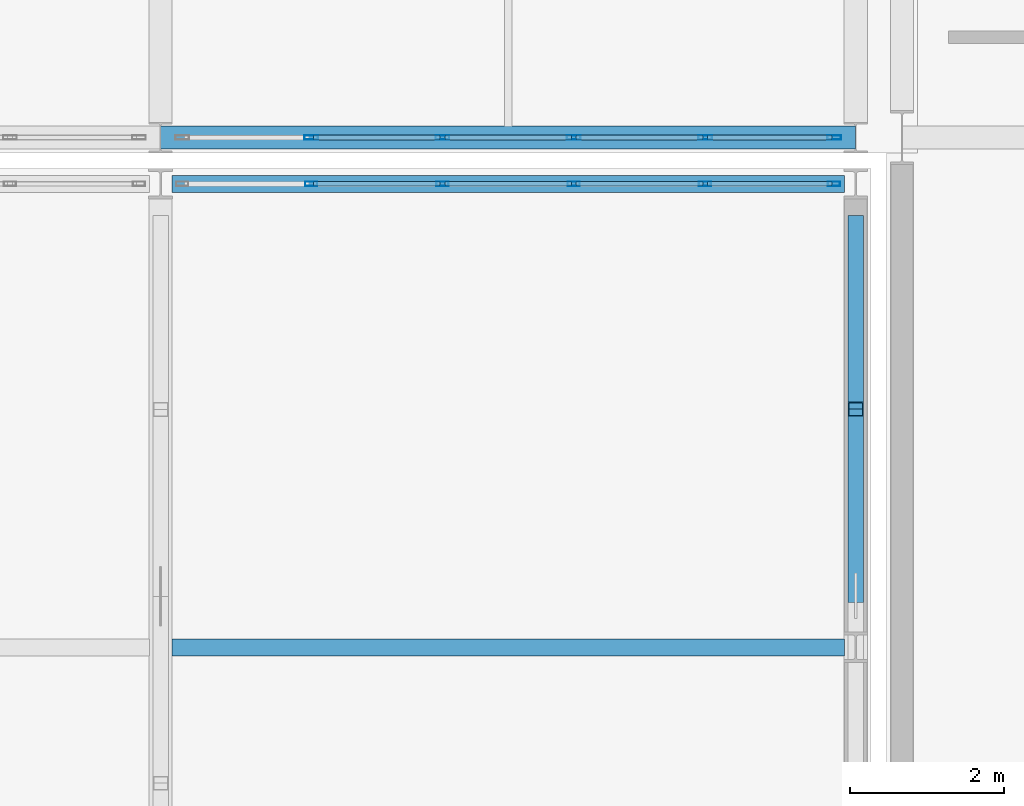
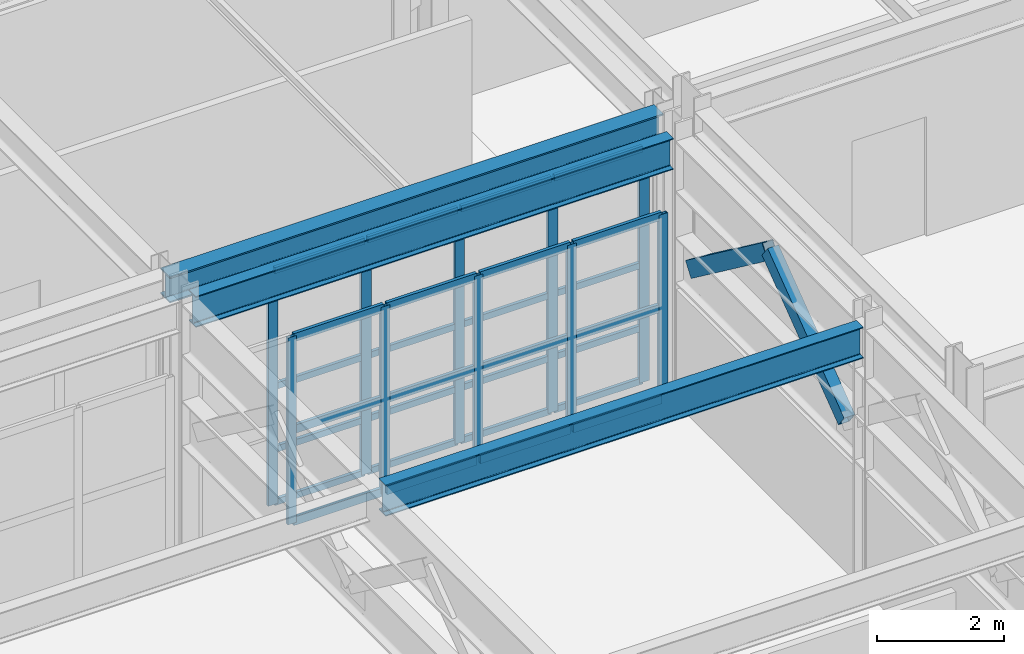
# One storey, part 46 of 210: 40 members, 3 beams, 2 elements without a shape of their own.
"""IFC4 building model written with IfcOpenShell, lengths in metres."""

from ifc_helpers import new_model, si_unit, direction, frame, origin, origin_2d, place, context, subcontext, project, spatial, hollow_rectangle, i_section, extrude, material, material_profile, profile_set, type_object, element, aggregate, save


model = new_model("IFC4")

# Units and contexts
model_context = context("Model", 3, precision=1e-05, world=origin(), true_north=direction((0.0, 1.0)))
body_context = subcontext(model_context, "Body", "Model", "MODEL_VIEW")
ifc_project = project(units=[si_unit("LENGTHUNIT", "METRE"), si_unit("AREAUNIT", "SQUARE_METRE"), si_unit("VOLUMEUNIT", "CUBIC_METRE"), si_unit("PLANEANGLEUNIT", "RADIAN"), si_unit("MASSUNIT", "GRAM", prefix="KILO")], contexts=[model_context])

# Site, building, storey
site_placement = place(None, origin())
site = spatial("IfcSite", under=ifc_project, at=site_placement, CompositionType="ELEMENT")
building_placement = place(site_placement, origin())
building = spatial("IfcBuilding", under=site, at=building_placement, Name="Kaldris Quays Convention Centre", CompositionType="ELEMENT")
storey_placement = place(building_placement, frame((0.0, 0.0, 6.0)))
storey = spatial("IfcBuildingStorey", under=building, at=storey_placement, Name="L01", CompositionType="ELEMENT", Elevation=6.0)

# Curtain wall, members
ifc_material_1 = material(Name="Anodized aluminium AW-6060 and triple glazing", Category="aluminium")
curtain_wall_type_1 = type_object("IfcCurtainWallType", Name="UNITISED CURTAIN WALL CW05", PredefinedType="NOTDEFINED", material=ifc_material_1)
curtain_wall_1_placement = place(storey_placement, origin())
curtain_wall_1 = element("IfcCurtainWall", 1, at=curtain_wall_1_placement, inside=storey, type_object=curtain_wall_type_1, Name="L01 Unitised Curtain Wall CW05 72", PredefinedType="NOTDEFINED")
ifc_material_2 = material(Name="Anodized aluminium AW-6060", Category="aluminium")
ifc_material_profile_1 = material_profile(ifc_material_2, hollow_rectangle(XDim=0.06005859375, YDim=0.159912109375, WallThickness=0.00390625, at=origin_2d()), Name="RHS 160x60x4")
ifc_profile_set_1 = profile_set([ifc_material_profile_1], Name="Anodized aluminium AW-6060")
member_type_1 = type_object("IfcMemberType", Name="CURTAIN MULLION CWM1", PredefinedType="MULLION", material=ifc_profile_set_1)
member_1_placement = place(storey_placement, frame((75.949951171875, 46.0, 0.0), z_axis=(0.0, 0.0, 1.0), x_axis=(0.0, 1.0, 0.0)))
member_1 = element("IfcMember", 2, at=member_1_placement, type_object=member_type_1, Name="CW05 mullion 2", PredefinedType="MULLION", context=body_context, shape_type="SweptSolid", body=[
    extrude(hollow_rectangle(XDim=0.06005859375, YDim=0.159912109375, WallThickness=0.00390625, at=origin_2d()), origin(), (0.0, 0.0, 1.0), 3.60009765625),
])
member_2_placement = place(storey_placement, frame((77.64990234375, 46.0, 0.0), z_axis=(0.0, 0.0, 1.0), x_axis=(0.0, 1.0, 0.0)))
member_2 = element("IfcMember", 3, at=member_2_placement, type_object=member_type_1, Name="CW05 mullion 3", PredefinedType="MULLION", context=body_context, shape_type="SweptSolid", body=[
    extrude(hollow_rectangle(XDim=0.06005859375, YDim=0.159912109375, WallThickness=0.00390625, at=origin_2d()), origin(), (0.0, 0.0, 1.0), 3.60009765625),
])
member_3_placement = place(storey_placement, frame((79.35009765625, 46.0, 0.0), z_axis=(0.0, 0.0, 1.0), x_axis=(0.0, 1.0, 0.0)))
member_3 = element("IfcMember", 4, at=member_3_placement, type_object=member_type_1, Name="CW05 mullion 4", PredefinedType="MULLION", context=body_context, shape_type="SweptSolid", body=[
    extrude(hollow_rectangle(XDim=0.06005859375, YDim=0.159912109375, WallThickness=0.00390625, at=origin_2d()), origin(), (0.0, 0.0, 1.0), 3.60009765625),
])
member_4_placement = place(storey_placement, frame((81.050048828125, 46.0, 0.0), z_axis=(0.0, 0.0, 1.0), x_axis=(0.0, 1.0, 0.0)))
member_4 = element("IfcMember", 5, at=member_4_placement, type_object=member_type_1, Name="CW05 mullion 5", PredefinedType="MULLION", context=body_context, shape_type="SweptSolid", body=[
    extrude(hollow_rectangle(XDim=0.06005859375, YDim=0.159912109375, WallThickness=0.00390625, at=origin_2d()), origin(), (0.0, 0.0, 1.0), 3.60009765625),
])
member_5_placement = place(storey_placement, frame((82.719970703125, 46.0, 0.0), z_axis=(0.0, 0.0, 1.0), x_axis=(0.0, 1.0, 0.0)))
member_5 = element("IfcMember", 6, at=member_5_placement, type_object=member_type_1, Name="CW05 mullion 6", PredefinedType="MULLION", context=body_context, shape_type="SweptSolid", body=[
    extrude(hollow_rectangle(XDim=0.06005859375, YDim=0.159912109375, WallThickness=0.00390625, at=origin_2d()), origin(), (0.0, 0.0, 1.0), 3.60009765625),
])

curtain_wall_type_2 = type_object("IfcCurtainWallType", Name="UNITISED CURTAIN WALL CW02", PredefinedType="NOTDEFINED", material=ifc_material_1)
curtain_wall_2_placement = place(storey_placement, origin())
curtain_wall_2 = element("IfcCurtainWall", 7, at=curtain_wall_2_placement, inside=storey, type_object=curtain_wall_type_2, Name="L01 Unitised Curtain Wall CW02 95", PredefinedType="NOTDEFINED")
ifc_material_profile_2 = material_profile(ifc_material_2, hollow_rectangle(XDim=0.06005859375, YDim=0.179931640625, WallThickness=0.0048828125, at=origin_2d()), Name="RHS 180x60x5")
ifc_profile_set_2 = profile_set([ifc_material_profile_2], Name="Anodized aluminium AW-6060")
member_type_2 = type_object("IfcMemberType", Name="CURTAIN MULLION CWM2", PredefinedType="MULLION", material=ifc_profile_set_2)
member_6_placement = place(storey_placement, frame((75.949951171875, 46.60009765625, 0.0), z_axis=(0.0, 0.0, 1.0), x_axis=(0.0, 1.0, 0.0)))
member_6 = element("IfcMember", 8, at=member_6_placement, type_object=member_type_2, Name="CW02 mullion 2", PredefinedType="MULLION", context=body_context, shape_type="SweptSolid", body=[
    extrude(hollow_rectangle(XDim=0.06005859375, YDim=0.179931640625, WallThickness=0.0048828125, at=origin_2d()), origin(), (0.0, 0.0, 1.0), 4.528076171875),
])
member_7_placement = place(storey_placement, frame((77.64990234375, 46.60009765625, 0.0), z_axis=(0.0, 0.0, 1.0), x_axis=(0.0, 1.0, 0.0)))
member_7 = element("IfcMember", 9, at=member_7_placement, type_object=member_type_2, Name="CW02 mullion 3", PredefinedType="MULLION", context=body_context, shape_type="SweptSolid", body=[
    extrude(hollow_rectangle(XDim=0.06005859375, YDim=0.179931640625, WallThickness=0.0048828125, at=origin_2d()), origin(), (0.0, 0.0, 1.0), 4.528076171875),
])
member_8_placement = place(storey_placement, frame((79.35009765625, 46.60009765625, 0.0), z_axis=(0.0, 0.0, 1.0), x_axis=(0.0, 1.0, 0.0)))
member_8 = element("IfcMember", 10, at=member_8_placement, type_object=member_type_2, Name="CW02 mullion 4", PredefinedType="MULLION", context=body_context, shape_type="SweptSolid", body=[
    extrude(hollow_rectangle(XDim=0.06005859375, YDim=0.179931640625, WallThickness=0.0048828125, at=origin_2d()), origin(), (0.0, 0.0, 1.0), 4.528076171875),
])
member_9_placement = place(storey_placement, frame((81.050048828125, 46.60009765625, 0.0), z_axis=(0.0, 0.0, 1.0), x_axis=(0.0, 1.0, 0.0)))
member_9 = element("IfcMember", 11, at=member_9_placement, type_object=member_type_2, Name="CW02 mullion 5", PredefinedType="MULLION", context=body_context, shape_type="SweptSolid", body=[
    extrude(hollow_rectangle(XDim=0.06005859375, YDim=0.179931640625, WallThickness=0.0048828125, at=origin_2d()), origin(), (0.0, 0.0, 1.0), 4.528076171875),
])
member_10_placement = place(storey_placement, frame((82.719970703125, 46.60009765625, 0.0), z_axis=(0.0, 0.0, 1.0), x_axis=(0.0, 1.0, 0.0)))
member_10 = element("IfcMember", 12, at=member_10_placement, type_object=member_type_2, Name="CW02 mullion 6", PredefinedType="MULLION", context=body_context, shape_type="SweptSolid", body=[
    extrude(hollow_rectangle(XDim=0.06005859375, YDim=0.179931640625, WallThickness=0.0048828125, at=origin_2d()), origin(), (0.0, 0.0, 1.0), 4.528076171875),
])
ifc_material_profile_3 = material_profile(ifc_material_2, hollow_rectangle(XDim=0.06005859375, YDim=0.1201171875, WallThickness=0.00390625, at=origin_2d()), Name="RHS 120x60x4")
ifc_profile_set_3 = profile_set([ifc_material_profile_3], Name="Anodized aluminium AW-6060")
member_type_3 = type_object("IfcMemberType", Name="CURTAIN TRANSOM CWT1", PredefinedType="USERDEFINED", material=ifc_profile_set_3)
member_11_placement = place(storey_placement, frame((75.97998046875, 46.60009765625, 0.030029296875), z_axis=(1.0, 0.0, 0.0), x_axis=(0.0, 1.0, 0.0)))
member_11 = element("IfcMember", 13, at=member_11_placement, type_object=member_type_3, Name="CW02 transom 2.1", ObjectType="TRANSOM", PredefinedType="USERDEFINED", context=body_context, shape_type="SweptSolid", body=[
    extrude(hollow_rectangle(XDim=0.06005859375, YDim=0.1201171875, WallThickness=0.00390625, at=origin_2d()), origin(), (0.0, 0.0, 1.0), 1.64013671875),
])
member_12_placement = place(storey_placement, frame((75.97998046875, 46.60009765625, 1.050048828125), z_axis=(1.0, 0.0, 0.0), x_axis=(0.0, 1.0, 0.0)))
member_12 = element("IfcMember", 14, at=member_12_placement, type_object=member_type_3, Name="CW02 transom 2.2", ObjectType="TRANSOM", PredefinedType="USERDEFINED", context=body_context, shape_type="SweptSolid", body=[
    extrude(hollow_rectangle(XDim=0.06005859375, YDim=0.1201171875, WallThickness=0.00390625, at=origin_2d()), origin(), (0.0, 0.0, 1.0), 1.64013671875),
])
member_13_placement = place(storey_placement, frame((75.97998046875, 46.60009765625, 2.263916015625), z_axis=(1.0, 0.0, 0.0), x_axis=(0.0, 1.0, 0.0)))
member_13 = element("IfcMember", 15, at=member_13_placement, type_object=member_type_3, Name="CW02 transom 2.3", ObjectType="TRANSOM", PredefinedType="USERDEFINED", context=body_context, shape_type="SweptSolid", body=[
    extrude(hollow_rectangle(XDim=0.06005859375, YDim=0.1201171875, WallThickness=0.00390625, at=origin_2d()), origin(), (0.0, 0.0, 1.0), 1.64013671875),
])
member_14_placement = place(storey_placement, frame((75.97998046875, 46.60009765625, 4.498046875), z_axis=(1.0, 0.0, 0.0), x_axis=(0.0, 1.0, 0.0)))
member_14 = element("IfcMember", 16, at=member_14_placement, type_object=member_type_3, Name="CW02 transom 2.4", ObjectType="TRANSOM", PredefinedType="USERDEFINED", context=body_context, shape_type="SweptSolid", body=[
    extrude(hollow_rectangle(XDim=0.06005859375, YDim=0.1201171875, WallThickness=0.00390625, at=origin_2d()), origin(), (0.0, 0.0, 1.0), 1.64013671875),
])
member_15_placement = place(storey_placement, frame((77.679931640625, 46.60009765625, 0.030029296875), z_axis=(1.0, 0.0, 0.0), x_axis=(0.0, 1.0, 0.0)))
member_15 = element("IfcMember", 17, at=member_15_placement, type_object=member_type_3, Name="CW02 transom 3.1", ObjectType="TRANSOM", PredefinedType="USERDEFINED", context=body_context, shape_type="SweptSolid", body=[
    extrude(hollow_rectangle(XDim=0.06005859375, YDim=0.1201171875, WallThickness=0.00390625, at=origin_2d()), origin(), (0.0, 0.0, 1.0), 1.64013671875),
])
member_16_placement = place(storey_placement, frame((77.679931640625, 46.60009765625, 1.050048828125), z_axis=(1.0, 0.0, 0.0), x_axis=(0.0, 1.0, 0.0)))
member_16 = element("IfcMember", 18, at=member_16_placement, type_object=member_type_3, Name="CW02 transom 3.2", ObjectType="TRANSOM", PredefinedType="USERDEFINED", context=body_context, shape_type="SweptSolid", body=[
    extrude(hollow_rectangle(XDim=0.06005859375, YDim=0.1201171875, WallThickness=0.00390625, at=origin_2d()), origin(), (0.0, 0.0, 1.0), 1.64013671875),
])
member_17_placement = place(storey_placement, frame((77.679931640625, 46.60009765625, 2.263916015625), z_axis=(1.0, 0.0, 0.0), x_axis=(0.0, 1.0, 0.0)))
member_17 = element("IfcMember", 19, at=member_17_placement, type_object=member_type_3, Name="CW02 transom 3.3", ObjectType="TRANSOM", PredefinedType="USERDEFINED", context=body_context, shape_type="SweptSolid", body=[
    extrude(hollow_rectangle(XDim=0.06005859375, YDim=0.1201171875, WallThickness=0.00390625, at=origin_2d()), origin(), (0.0, 0.0, 1.0), 1.64013671875),
])
member_18_placement = place(storey_placement, frame((77.679931640625, 46.60009765625, 4.498046875), z_axis=(1.0, 0.0, 0.0), x_axis=(0.0, 1.0, 0.0)))
member_18 = element("IfcMember", 20, at=member_18_placement, type_object=member_type_3, Name="CW02 transom 3.4", ObjectType="TRANSOM", PredefinedType="USERDEFINED", context=body_context, shape_type="SweptSolid", body=[
    extrude(hollow_rectangle(XDim=0.06005859375, YDim=0.1201171875, WallThickness=0.00390625, at=origin_2d()), origin(), (0.0, 0.0, 1.0), 1.64013671875),
])
member_19_placement = place(storey_placement, frame((79.3798828125, 46.60009765625, 0.030029296875), z_axis=(1.0, 0.0, 0.0), x_axis=(0.0, 1.0, 0.0)))
member_19 = element("IfcMember", 21, at=member_19_placement, type_object=member_type_3, Name="CW02 transom 4.1", ObjectType="TRANSOM", PredefinedType="USERDEFINED", context=body_context, shape_type="SweptSolid", body=[
    extrude(hollow_rectangle(XDim=0.06005859375, YDim=0.1201171875, WallThickness=0.00390625, at=origin_2d()), origin(), (0.0, 0.0, 1.0), 1.64013671875),
])
member_20_placement = place(storey_placement, frame((79.3798828125, 46.60009765625, 1.050048828125), z_axis=(1.0, 0.0, 0.0), x_axis=(0.0, 1.0, 0.0)))
member_20 = element("IfcMember", 22, at=member_20_placement, type_object=member_type_3, Name="CW02 transom 4.2", ObjectType="TRANSOM", PredefinedType="USERDEFINED", context=body_context, shape_type="SweptSolid", body=[
    extrude(hollow_rectangle(XDim=0.06005859375, YDim=0.1201171875, WallThickness=0.00390625, at=origin_2d()), origin(), (0.0, 0.0, 1.0), 1.64013671875),
])
member_21_placement = place(storey_placement, frame((79.3798828125, 46.60009765625, 2.263916015625), z_axis=(1.0, 0.0, 0.0), x_axis=(0.0, 1.0, 0.0)))
member_21 = element("IfcMember", 23, at=member_21_placement, type_object=member_type_3, Name="CW02 transom 4.3", ObjectType="TRANSOM", PredefinedType="USERDEFINED", context=body_context, shape_type="SweptSolid", body=[
    extrude(hollow_rectangle(XDim=0.06005859375, YDim=0.1201171875, WallThickness=0.00390625, at=origin_2d()), origin(), (0.0, 0.0, 1.0), 1.64013671875),
])
member_22_placement = place(storey_placement, frame((79.3798828125, 46.60009765625, 4.498046875), z_axis=(1.0, 0.0, 0.0), x_axis=(0.0, 1.0, 0.0)))
member_22 = element("IfcMember", 24, at=member_22_placement, type_object=member_type_3, Name="CW02 transom 4.4", ObjectType="TRANSOM", PredefinedType="USERDEFINED", context=body_context, shape_type="SweptSolid", body=[
    extrude(hollow_rectangle(XDim=0.06005859375, YDim=0.1201171875, WallThickness=0.00390625, at=origin_2d()), origin(), (0.0, 0.0, 1.0), 1.64013671875),
])
member_23_placement = place(storey_placement, frame((81.080078125, 46.60009765625, 0.030029296875), z_axis=(1.0, 0.0, 0.0), x_axis=(0.0, 1.0, 0.0)))
member_23 = element("IfcMember", 25, at=member_23_placement, type_object=member_type_3, Name="CW02 transom 5.1", ObjectType="TRANSOM", PredefinedType="USERDEFINED", context=body_context, shape_type="SweptSolid", body=[
    extrude(hollow_rectangle(XDim=0.06005859375, YDim=0.1201171875, WallThickness=0.00390625, at=origin_2d()), origin(), (0.0, 0.0, 1.0), 1.60986328125),
])
member_24_placement = place(storey_placement, frame((81.080078125, 46.60009765625, 1.050048828125), z_axis=(1.0, 0.0, 0.0), x_axis=(0.0, 1.0, 0.0)))
member_24 = element("IfcMember", 26, at=member_24_placement, type_object=member_type_3, Name="CW02 transom 5.2", ObjectType="TRANSOM", PredefinedType="USERDEFINED", context=body_context, shape_type="SweptSolid", body=[
    extrude(hollow_rectangle(XDim=0.06005859375, YDim=0.1201171875, WallThickness=0.00390625, at=origin_2d()), origin(), (0.0, 0.0, 1.0), 1.60986328125),
])
member_25_placement = place(storey_placement, frame((81.080078125, 46.60009765625, 2.263916015625), z_axis=(1.0, 0.0, 0.0), x_axis=(0.0, 1.0, 0.0)))
member_25 = element("IfcMember", 27, at=member_25_placement, type_object=member_type_3, Name="CW02 transom 5.3", ObjectType="TRANSOM", PredefinedType="USERDEFINED", context=body_context, shape_type="SweptSolid", body=[
    extrude(hollow_rectangle(XDim=0.06005859375, YDim=0.1201171875, WallThickness=0.00390625, at=origin_2d()), origin(), (0.0, 0.0, 1.0), 1.60986328125),
])
member_26_placement = place(storey_placement, frame((81.080078125, 46.60009765625, 4.498046875), z_axis=(1.0, 0.0, 0.0), x_axis=(0.0, 1.0, 0.0)))
member_26 = element("IfcMember", 28, at=member_26_placement, type_object=member_type_3, Name="CW02 transom 5.4", ObjectType="TRANSOM", PredefinedType="USERDEFINED", context=body_context, shape_type="SweptSolid", body=[
    extrude(hollow_rectangle(XDim=0.06005859375, YDim=0.1201171875, WallThickness=0.00390625, at=origin_2d()), origin(), (0.0, 0.0, 1.0), 1.60986328125),
])
aggregate(curtain_wall_2, [member_6, member_7, member_8, member_9, member_10, member_11, member_12, member_13, member_14, member_15, member_16, member_17, member_18, member_19, member_20, member_21, member_22, member_23, member_24, member_25, member_26])

# Member
ifc_material_profile_4 = material_profile(ifc_material_2, hollow_rectangle(XDim=0.06005859375, YDim=0.159912109375, WallThickness=0.00390625, at=origin_2d()), Name="RHS 160x60x4")
ifc_profile_set_4 = profile_set([ifc_material_profile_4], Name="Anodized aluminium AW-6060")
member_type_4 = type_object("IfcMemberType", Name="CURTAIN TRANSOM CWT2", PredefinedType="USERDEFINED", material=ifc_profile_set_4)
member_27_placement = place(storey_placement, frame((75.97998046875, 46.0, 0.030029296875), z_axis=(1.0, 0.0, 0.0), x_axis=(0.0, 1.0, 0.0)))
member_27 = element("IfcMember", 29, at=member_27_placement, type_object=member_type_4, Name="CW05 transom 2.1", ObjectType="TRANSOM", PredefinedType="USERDEFINED", context=body_context, shape_type="SweptSolid", body=[
    extrude(hollow_rectangle(XDim=0.06005859375, YDim=0.159912109375, WallThickness=0.00390625, at=origin_2d()), origin(), (0.0, 0.0, 1.0), 1.64013671875),
])

member_28_placement = place(storey_placement, frame((75.97998046875, 46.0, 1.800048828125), z_axis=(1.0, 0.0, 0.0), x_axis=(0.0, 1.0, 0.0)))
member_28 = element("IfcMember", 30, at=member_28_placement, type_object=member_type_4, Name="CW05 transom 2.2", ObjectType="TRANSOM", PredefinedType="USERDEFINED", context=body_context, shape_type="SweptSolid", body=[
    extrude(hollow_rectangle(XDim=0.06005859375, YDim=0.159912109375, WallThickness=0.00390625, at=origin_2d()), origin(), (0.0, 0.0, 1.0), 1.64013671875),
])

member_29_placement = place(storey_placement, frame((75.97998046875, 46.0, 3.570068359375), z_axis=(1.0, 0.0, 0.0), x_axis=(0.0, 1.0, 0.0)))
member_29 = element("IfcMember", 31, at=member_29_placement, type_object=member_type_4, Name="CW05 transom 2.3", ObjectType="TRANSOM", PredefinedType="USERDEFINED", context=body_context, shape_type="SweptSolid", body=[
    extrude(hollow_rectangle(XDim=0.06005859375, YDim=0.159912109375, WallThickness=0.00390625, at=origin_2d()), origin(), (0.0, 0.0, 1.0), 1.64013671875),
])

member_30_placement = place(storey_placement, frame((77.679931640625, 46.0, 0.030029296875), z_axis=(1.0, 0.0, 0.0), x_axis=(0.0, 1.0, 0.0)))
member_30 = element("IfcMember", 32, at=member_30_placement, type_object=member_type_4, Name="CW05 transom 3.1", ObjectType="TRANSOM", PredefinedType="USERDEFINED", context=body_context, shape_type="SweptSolid", body=[
    extrude(hollow_rectangle(XDim=0.06005859375, YDim=0.159912109375, WallThickness=0.00390625, at=origin_2d()), origin(), (0.0, 0.0, 1.0), 1.64013671875),
])

member_31_placement = place(storey_placement, frame((77.679931640625, 46.0, 1.800048828125), z_axis=(1.0, 0.0, 0.0), x_axis=(0.0, 1.0, 0.0)))
member_31 = element("IfcMember", 33, at=member_31_placement, type_object=member_type_4, Name="CW05 transom 3.2", ObjectType="TRANSOM", PredefinedType="USERDEFINED", context=body_context, shape_type="SweptSolid", body=[
    extrude(hollow_rectangle(XDim=0.06005859375, YDim=0.159912109375, WallThickness=0.00390625, at=origin_2d()), origin(), (0.0, 0.0, 1.0), 1.64013671875),
])

member_32_placement = place(storey_placement, frame((77.679931640625, 46.0, 3.570068359375), z_axis=(1.0, 0.0, 0.0), x_axis=(0.0, 1.0, 0.0)))
member_32 = element("IfcMember", 34, at=member_32_placement, type_object=member_type_4, Name="CW05 transom 3.3", ObjectType="TRANSOM", PredefinedType="USERDEFINED", context=body_context, shape_type="SweptSolid", body=[
    extrude(hollow_rectangle(XDim=0.06005859375, YDim=0.159912109375, WallThickness=0.00390625, at=origin_2d()), origin(), (0.0, 0.0, 1.0), 1.64013671875),
])

member_33_placement = place(storey_placement, frame((79.3798828125, 46.0, 0.030029296875), z_axis=(1.0, 0.0, 0.0), x_axis=(0.0, 1.0, 0.0)))
member_33 = element("IfcMember", 35, at=member_33_placement, type_object=member_type_4, Name="CW05 transom 4.1", ObjectType="TRANSOM", PredefinedType="USERDEFINED", context=body_context, shape_type="SweptSolid", body=[
    extrude(hollow_rectangle(XDim=0.06005859375, YDim=0.159912109375, WallThickness=0.00390625, at=origin_2d()), origin(), (0.0, 0.0, 1.0), 1.64013671875),
])

member_34_placement = place(storey_placement, frame((79.3798828125, 46.0, 1.800048828125), z_axis=(1.0, 0.0, 0.0), x_axis=(0.0, 1.0, 0.0)))
member_34 = element("IfcMember", 36, at=member_34_placement, type_object=member_type_4, Name="CW05 transom 4.2", ObjectType="TRANSOM", PredefinedType="USERDEFINED", context=body_context, shape_type="SweptSolid", body=[
    extrude(hollow_rectangle(XDim=0.06005859375, YDim=0.159912109375, WallThickness=0.00390625, at=origin_2d()), origin(), (0.0, 0.0, 1.0), 1.64013671875),
])

member_35_placement = place(storey_placement, frame((79.3798828125, 46.0, 3.570068359375), z_axis=(1.0, 0.0, 0.0), x_axis=(0.0, 1.0, 0.0)))
member_35 = element("IfcMember", 37, at=member_35_placement, type_object=member_type_4, Name="CW05 transom 4.3", ObjectType="TRANSOM", PredefinedType="USERDEFINED", context=body_context, shape_type="SweptSolid", body=[
    extrude(hollow_rectangle(XDim=0.06005859375, YDim=0.159912109375, WallThickness=0.00390625, at=origin_2d()), origin(), (0.0, 0.0, 1.0), 1.64013671875),
])

member_36_placement = place(storey_placement, frame((81.080078125, 46.0, 0.030029296875), z_axis=(1.0, 0.0, 0.0), x_axis=(0.0, 1.0, 0.0)))
member_36 = element("IfcMember", 38, at=member_36_placement, type_object=member_type_4, Name="CW05 transom 5.1", ObjectType="TRANSOM", PredefinedType="USERDEFINED", context=body_context, shape_type="SweptSolid", body=[
    extrude(hollow_rectangle(XDim=0.06005859375, YDim=0.159912109375, WallThickness=0.00390625, at=origin_2d()), origin(), (0.0, 0.0, 1.0), 1.60986328125),
])

member_37_placement = place(storey_placement, frame((81.080078125, 46.0, 1.800048828125), z_axis=(1.0, 0.0, 0.0), x_axis=(0.0, 1.0, 0.0)))
member_37 = element("IfcMember", 39, at=member_37_placement, type_object=member_type_4, Name="CW05 transom 5.2", ObjectType="TRANSOM", PredefinedType="USERDEFINED", context=body_context, shape_type="SweptSolid", body=[
    extrude(hollow_rectangle(XDim=0.06005859375, YDim=0.159912109375, WallThickness=0.00390625, at=origin_2d()), origin(), (0.0, 0.0, 1.0), 1.60986328125),
])

member_38_placement = place(storey_placement, frame((81.080078125, 46.0, 3.570068359375), z_axis=(1.0, 0.0, 0.0), x_axis=(0.0, 1.0, 0.0)))
member_38 = element("IfcMember", 40, at=member_38_placement, type_object=member_type_4, Name="CW05 transom 5.3", ObjectType="TRANSOM", PredefinedType="USERDEFINED", context=body_context, shape_type="SweptSolid", body=[
    extrude(hollow_rectangle(XDim=0.06005859375, YDim=0.159912109375, WallThickness=0.00390625, at=origin_2d()), origin(), (0.0, 0.0, 1.0), 1.60986328125),
])

aggregate(curtain_wall_1, [member_1, member_2, member_3, member_4, member_5, member_27, member_28, member_29, member_30, member_31, member_32, member_33, member_34, member_35, member_36, member_37, member_38])

# Beams
ifc_material_3 = material(Name="Steel S355J2", Category="steel")
ifc_material_profile_5 = material_profile(ifc_material_3, i_section(OverallWidth=0.300048828125, OverallDepth=0.5, WebThickness=0.014404296875, FlangeThickness=0.028076171875, FilletRadius=0.027099609375, at=origin_2d()), Name="HEB 500")
ifc_profile_set_5 = profile_set([ifc_material_profile_5], Name="Steel S355J2")
beam_type_1 = type_object("IfcBeamType", Name="STRUCTURAL BEAM BM06", PredefinedType="BEAM", material=ifc_profile_set_5)
beam_placement = place(storey_placement, frame((73.99951171875, 46.60009765625, 4.89306640625), z_axis=(1.0, 0.0, 0.0), x_axis=(0.0, 1.0, 0.0)))
element("IfcBeam", 41, at=beam_placement, inside=storey, type_object=beam_type_1, Name="L01 Girder BM06 6", PredefinedType="BEAM", context=body_context, shape_type="SweptSolid", body=[
    extrude(i_section(OverallWidth=0.300048828125, OverallDepth=0.5, WebThickness=0.014404296875, FlangeThickness=0.028076171875, FilletRadius=0.027099609375, at=origin_2d()), origin(), (0.0, 0.0, 1.0), 9.0009765625),
])
ifc_material_profile_6 = material_profile(ifc_material_3, i_section(OverallWidth=0.219970703125, OverallDepth=0.60009765625, WebThickness=0.011962890625, FlangeThickness=0.01904296875, FilletRadius=0.02392578125, at=origin_2d()), Name="IPE 600")
ifc_profile_set_6 = profile_set([ifc_material_profile_6], Name="Steel S355J2")
beam_type_2 = type_object("IfcBeamType", Name="STRUCTURAL BEAM BM10", PredefinedType="BEAM", material=ifc_profile_set_6)
for number, where, z_axis, x_axis, name in (
    (42, (74.14501953125, 40.0, 4.758056640625), (1.0, 0.0, 0.0), (0.0, 1.0, 0.0), "L01 Ballroom Tie Beam BM10"),
    (43, (74.14501953125, 46.0, 4.758056640625), (1.0, 0.0, 0.0), (0.0, 1.0, 0.0), "L01 Ballroom Tie Beam BM10"),
):
    element("IfcBeam", number, at=place(storey_placement, frame(where, z_axis=z_axis, x_axis=x_axis)), inside=storey, type_object=beam_type_2, Name=name, PredefinedType="BEAM", context=body_context, shape_type="SweptSolid", body=[
        extrude(i_section(OverallWidth=0.219970703125, OverallDepth=0.60009765625, WebThickness=0.011962890625, FlangeThickness=0.01904296875, FilletRadius=0.02392578125, at=origin_2d()), origin(), (0.0, 0.0, 1.0), 8.7099609375),
    ])

# Members
ifc_material_4 = material(Name="Steel S355J2H", Category="steel")
ifc_material_profile_7 = material_profile(ifc_material_4, hollow_rectangle(XDim=0.199951171875, YDim=0.300048828125, WallThickness=0.012451171875, at=origin_2d()), Name="RHS 300x200x12.5")
ifc_profile_set_7 = profile_set([ifc_material_profile_7], Name="Steel S355J2H")
member_type_5 = type_object("IfcMemberType", Name="STRUCTURAL MEMBER TTD1", PredefinedType="BRACE", material=ifc_profile_set_7)
member_39_placement = place(storey_placement, frame((83.0, 40.666748046875, 2.75), z_axis=(0.0, 0.800678988238, 0.599093613548), x_axis=(-1.0, 0.0, 0.0)))
element("IfcMember", 44, at=member_39_placement, inside=storey, type_object=member_type_5, Name="Transfer Truss TT08 Diagonal 11", PredefinedType="BRACE", context=body_context, shape_type="SweptSolid", body=[
    extrude(hollow_rectangle(XDim=0.199951171875, YDim=0.300048828125, WallThickness=0.012451171875, at=origin_2d()), origin(), (0.0, 0.0, 1.0), 3.01806640625),
])
member_40_placement = place(storey_placement, frame((83.0, 45.5, 2.75), z_axis=(0.0, -0.800708018983, 0.599054812464), x_axis=(1.0, 0.0, 0.0)))
element("IfcMember", 45, at=member_40_placement, inside=storey, type_object=member_type_5, Name="Transfer Truss TT08 Diagonal 12", PredefinedType="BRACE", context=body_context, shape_type="SweptSolid", body=[
    extrude(hollow_rectangle(XDim=0.199951171875, YDim=0.300048828125, WallThickness=0.012451171875, at=origin_2d()), origin(), (0.0, 0.0, 1.0), 3.018310546875),
])

save(model, "model.ifc")
